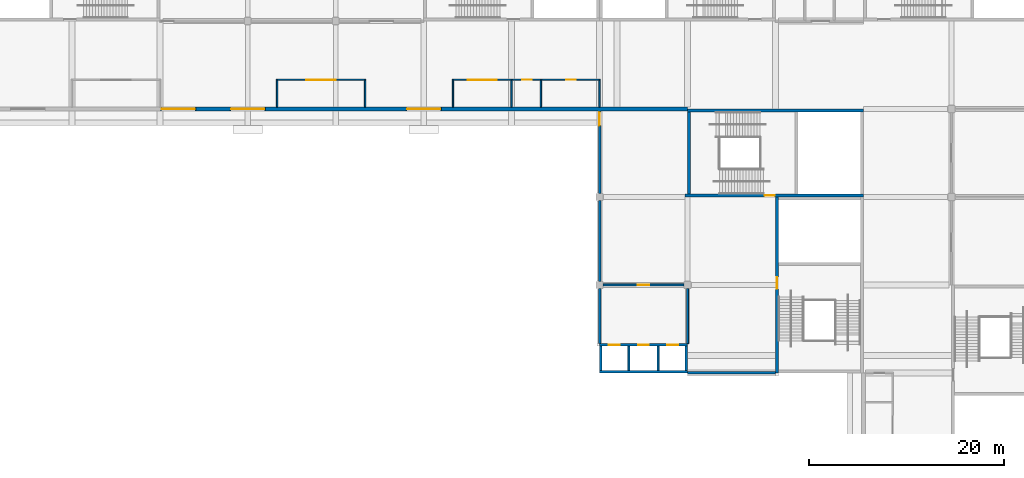
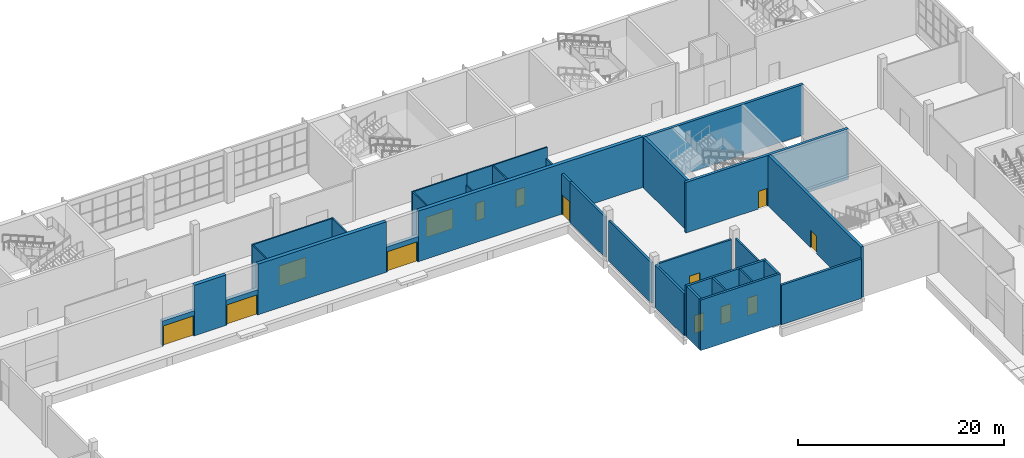
# One storey, part 44 of 89: 33 walls, 14 doors, 14 openings.
"""IFC4 building model written with IfcOpenShell, lengths in metres."""

from ifc_helpers import new_model, si_unit, direction, frame, frame_2d, origin, place, context, subcontext, project, spatial, rectangle, extrude, material, layer, layer_set, type_object, element, fill, save


model = new_model("IFC4")

# Units and contexts
model_context = context("Model", 3, precision=1e-05, world=origin(), true_north=direction((0.0, 1.0)))
body_context = subcontext(model_context, "Body", "Model", "MODEL_VIEW")
ifc_project = project(units=[si_unit("LENGTHUNIT", "METRE"), si_unit("AREAUNIT", "SQUARE_METRE"), si_unit("VOLUMEUNIT", "CUBIC_METRE"), si_unit("PLANEANGLEUNIT", "RADIAN"), si_unit("MASSUNIT", "GRAM", prefix="KILO")], contexts=[model_context])

# Site, building, storey
site_placement = place(None, origin())
site = spatial("IfcSite", under=ifc_project, at=site_placement, CompositionType="ELEMENT")
building_placement = place(site_placement, origin())
building = spatial("IfcBuilding", under=site, at=building_placement, Name="Silverbay Arena", CompositionType="ELEMENT")
storey_placement = place(building_placement, frame((0.0, 0.0, 22.0)))
storey = spatial("IfcBuildingStorey", under=building, at=storey_placement, Name="L03", CompositionType="ELEMENT", Elevation=22.0)

# Wall, opening, door
ifc_material_1 = material(Name="Concrete Grade C45", Category="concrete")
ifc_layer_1 = layer(ifc_material_1, 0.25)
ifc_layer_set_1 = layer_set([ifc_layer_1], Name="Concrete Grade C45")
wall_type_1 = type_object("IfcWallType", Name="Bowl enclosure wall RC 250 EI 120", PredefinedType="SOLIDWALL", material=ifc_layer_set_1)
wall_1_placement = place(storey_placement, frame((162.0, 124.199951171875, 0.0), z_axis=(0.0, 0.0, 1.0), x_axis=(0.0, 1.0, 0.0)))
wall_1 = element("IfcWall", 1, at=wall_1_placement, inside=storey, type_object=wall_type_1, Name="gangway North upper stand end", PredefinedType="SOLIDWALL", context=body_context, shape_type="SweptSolid", body=[
    extrude(rectangle(XDim=1.60009765625, YDim=0.25, at=frame_2d((0.800048828125, 0.0))), origin(), (0.0, 0.0, 1.0), 4.800048828125),
])
opening_1_placement = place(wall_1_placement, frame((0.10009765625, 0.0, 0.0)))
opening_1 = element("IfcOpeningElement", 2, at=opening_1_placement, cuts=wall_1, Name="Opening L03-092", PredefinedType="OPENING", context=body_context, shape_type="SweptSolid", body=[
    extrude(rectangle(XDim=1.39990234375, YDim=2.39990234375, at=frame_2d((0.699951171875, 1.199951171875))), frame((0.0, 0.135009765625, 0.0), z_axis=(0.0, -1.0, 0.0), x_axis=(1.0, 0.0, 0.0)), (0.0, 0.0, 1.0), 0.27001953125),
])
ifc_material_2 = material(Name="Steel", Category="steel")
door_type_1 = type_object("IfcDoorType", Name="Fire door set 1400 x 2400 FD120S gangway", OperationType="DOUBLE_DOOR_SINGLE_SWING", PredefinedType="DOOR", material=ifc_material_2)
door_1_placement = place(opening_1_placement, frame((1.39990234375, 0.0, 0.0), z_axis=(0.0, 0.0, 1.0), x_axis=(-1.0, 0.0, 0.0)))
door_1 = element("IfcDoor", 3, at=door_1_placement, inside=storey, type_object=door_type_1, Name="Fire door set L03 gangway North upper stand end", OperationType="DOUBLE_DOOR_SINGLE_SWING", OverallHeight=2.39990234375, OverallWidth=1.39990234375, PredefinedType="DOOR", context=body_context, shape_type="SweptSolid", body=[
    extrude(rectangle(XDim=1.39990234375, YDim=2.39990234375, at=frame_2d((0.699951171875, 1.199951171875))), frame((0.0, 0.02490234375, 0.0), z_axis=(0.0, -1.0, 0.0), x_axis=(1.0, 0.0, 0.0)), (0.0, 0.0, 1.0), 0.050048828125),
])
fill(opening_1, door_1)

# Walls
wall_2_placement = place(storey_placement, frame((162.0, 102.0, 0.0), z_axis=(0.0, 0.0, 1.0), x_axis=(0.0, 1.0, 0.0)))
element("IfcWall", 4, at=wall_2_placement, inside=storey, type_object=wall_type_1, Name="Bowl enclosure wall, corner block NE-x", PredefinedType="SOLIDWALL", context=body_context, shape_type="SweptSolid", body=[
    extrude(rectangle(XDim=5.64990234375, YDim=0.25, at=frame_2d((2.824951171875, 0.0))), origin(), (0.0, 0.0, 1.0), 5.0),
])
wall_3_placement = place(storey_placement, frame((162.0, 108.35009765625, 0.0), z_axis=(0.0, 0.0, 1.0), x_axis=(0.0, 1.0, 0.0)))
element("IfcWall", 5, at=wall_3_placement, inside=storey, type_object=wall_type_1, Name="Bowl enclosure wall, corner block NE-x", PredefinedType="SOLIDWALL", context=body_context, shape_type="SweptSolid", body=[
    extrude(rectangle(XDim=8.2998046875, YDim=0.25, at=frame_2d((4.14990234375, 0.0))), origin(), (0.0, 0.0, 1.0), 4.800048828125),
])
wall_4_placement = place(storey_placement, frame((162.0, 117.35009765625, 0.0), z_axis=(0.0, 0.0, 1.0), x_axis=(0.0, 1.0, 0.0)))
element("IfcWall", 6, at=wall_4_placement, inside=storey, type_object=wall_type_1, Name="Bowl enclosure wall, corner block NE-x", PredefinedType="SOLIDWALL", context=body_context, shape_type="SweptSolid", body=[
    extrude(rectangle(XDim=6.849853515625, YDim=0.25, at=frame_2d((3.4248046875, 0.0))), origin(), (0.0, 0.0, 1.0), 4.800048828125),
])
wall_5_placement = place(storey_placement, frame((171.0, 99.0, 0.0), z_axis=(0.0, 0.0, 1.0), x_axis=(1.0, 0.0, 0.0)))
element("IfcWall", 7, at=wall_5_placement, inside=storey, type_object=wall_type_1, Name="Bowl enclosure wall, corner block NE-y", PredefinedType="SOLIDWALL", context=body_context, shape_type="SweptSolid", body=[
    extrude(rectangle(XDim=9.0, YDim=0.25, at=frame_2d((4.5, 0.0))), origin(), (0.0, 0.0, 1.0), 4.699951171875),
])

# Wall, opening, door
ifc_material_3 = material(Name="Concrete Grade C45", Category="concrete")
ifc_layer_2 = layer(ifc_material_3, 0.39990234375)
ifc_layer_set_2 = layer_set([ifc_layer_2], Name="Concrete Grade C45")
wall_type_2 = type_object("IfcWallType", Name="Bowl enclosure wall RC 400 EI 120", PredefinedType="SOLIDWALL", material=ifc_layer_set_2)
wall_6_placement = place(storey_placement, frame((124.199951171875, 126.0, 0.0), z_axis=(0.0, 0.0, 1.0), x_axis=(1.0, 0.0, 0.0)))
wall_6 = element("IfcWall", 8, at=wall_6_placement, inside=storey, type_object=wall_type_2, Name="portal vomitory N 126", PredefinedType="SOLIDWALL", context=body_context, shape_type="SweptSolid", body=[
    extrude(rectangle(XDim=3.60009765625, YDim=0.39990234375, at=frame_2d((1.800048828125, 0.0))), origin(), (0.0, 0.0, 1.0), 3.0),
])
opening_2_placement = place(wall_6_placement, frame((0.10009765625, 0.0, 0.0)))
opening_2 = element("IfcOpeningElement", 9, at=opening_2_placement, cuts=wall_6, Name="Opening L03-095", PredefinedType="OPENING", context=body_context, shape_type="SweptSolid", body=[
    extrude(rectangle(XDim=3.39990234375, YDim=2.39990234375, at=frame_2d((1.699951171875, 1.199951171875))), frame((0.0, 0.2099609375, 0.0), z_axis=(0.0, -1.0, 0.0), x_axis=(1.0, 0.0, 0.0)), (0.0, 0.0, 1.0), 0.419921875),
])
ifc_material_4 = material(Name="Steel", Category="steel")
door_type_2 = type_object("IfcDoorType", Name="Fire door set 3400 x 2400 FD120S portal", OperationType="DOUBLE_DOOR_SINGLE_SWING", PredefinedType="DOOR", material=ifc_material_4)
door_2_placement = place(opening_2_placement, origin())
door_2 = element("IfcDoor", 10, at=door_2_placement, inside=storey, type_object=door_type_2, Name="Fire door set L03 portal vomitory N 126", OperationType="DOUBLE_DOOR_SINGLE_SWING", OverallHeight=2.39990234375, OverallWidth=3.39990234375, PredefinedType="DOOR", context=body_context, shape_type="SweptSolid", body=[
    extrude(rectangle(XDim=3.39990234375, YDim=2.39990234375, at=frame_2d((1.699951171875, 1.199951171875))), frame((0.0, 0.02490234375, 0.0), z_axis=(0.0, -1.0, 0.0), x_axis=(1.0, 0.0, 0.0)), (0.0, 0.0, 1.0), 0.050048828125),
])
fill(opening_2, door_2)

wall_7_placement = place(storey_placement, frame((142.199951171875, 126.0, 0.0), z_axis=(0.0, 0.0, 1.0), x_axis=(1.0, 0.0, 0.0)))
wall_7 = element("IfcWall", 11, at=wall_7_placement, inside=storey, type_object=wall_type_2, Name="portal vomitory N 144", PredefinedType="SOLIDWALL", context=body_context, shape_type="SweptSolid", body=[
    extrude(rectangle(XDim=3.60009765625, YDim=0.39990234375, at=frame_2d((1.800048828125, 0.0))), origin(), (0.0, 0.0, 1.0), 3.0),
])
opening_3_placement = place(wall_7_placement, frame((0.10009765625, 0.0, 0.0)))
opening_3 = element("IfcOpeningElement", 12, at=opening_3_placement, cuts=wall_7, Name="Opening L03-096", PredefinedType="OPENING", context=body_context, shape_type="SweptSolid", body=[
    extrude(rectangle(XDim=3.39990234375, YDim=2.39990234375, at=frame_2d((1.699951171875, 1.199951171875))), frame((0.0, 0.2099609375, 0.0), z_axis=(0.0, -1.0, 0.0), x_axis=(1.0, 0.0, 0.0)), (0.0, 0.0, 1.0), 0.419921875),
])
door_3_placement = place(opening_3_placement, origin())
door_3 = element("IfcDoor", 13, at=door_3_placement, inside=storey, type_object=door_type_2, Name="Fire door set L03 portal vomitory N 144", OperationType="DOUBLE_DOOR_SINGLE_SWING", OverallHeight=2.39990234375, OverallWidth=3.39990234375, PredefinedType="DOOR", context=body_context, shape_type="SweptSolid", body=[
    extrude(rectangle(XDim=3.39990234375, YDim=2.39990234375, at=frame_2d((1.699951171875, 1.199951171875))), frame((0.0, 0.02490234375, 0.0), z_axis=(0.0, -1.0, 0.0), x_axis=(1.0, 0.0, 0.0)), (0.0, 0.0, 1.0), 0.050048828125),
])
fill(opening_3, door_3)

wall_8_placement = place(storey_placement, frame((117.074951171875, 126.0, 0.0), z_axis=(0.0, 0.0, 1.0), x_axis=(1.0, 0.0, 0.0)))
wall_8 = element("IfcWall", 14, at=wall_8_placement, inside=storey, type_object=wall_type_2, Name="portal stand N 118.875", PredefinedType="SOLIDWALL", context=body_context, shape_type="SweptSolid", body=[
    extrude(rectangle(XDim=3.60009765625, YDim=0.39990234375, at=frame_2d((1.800048828125, 0.0))), origin(), (0.0, 0.0, 1.0), 3.0),
])
opening_4_placement = place(wall_8_placement, frame((0.10009765625, 0.0, 0.0)))
opening_4 = element("IfcOpeningElement", 15, at=opening_4_placement, cuts=wall_8, Name="Opening L03-102", PredefinedType="OPENING", context=body_context, shape_type="SweptSolid", body=[
    extrude(rectangle(XDim=3.39990234375, YDim=2.39990234375, at=frame_2d((1.699951171875, 1.199951171875))), frame((0.0, 0.2099609375, 0.0), z_axis=(0.0, -1.0, 0.0), x_axis=(1.0, 0.0, 0.0)), (0.0, 0.0, 1.0), 0.419921875),
])
door_4_placement = place(opening_4_placement, origin())
door_4 = element("IfcDoor", 16, at=door_4_placement, inside=storey, type_object=door_type_2, Name="Fire door set L03 portal stand N 118.875", OperationType="DOUBLE_DOOR_SINGLE_SWING", OverallHeight=2.39990234375, OverallWidth=3.39990234375, PredefinedType="DOOR", context=body_context, shape_type="SweptSolid", body=[
    extrude(rectangle(XDim=3.39990234375, YDim=2.39990234375, at=frame_2d((1.699951171875, 1.199951171875))), frame((0.0, 0.02490234375, 0.0), z_axis=(0.0, -1.0, 0.0), x_axis=(1.0, 0.0, 0.0)), (0.0, 0.0, 1.0), 0.050048828125),
])
fill(opening_4, door_4)

ifc_material_5 = material(Name="Concrete Grade C45", Category="concrete")
ifc_layer_3 = layer(ifc_material_5, 0.300048828125)
ifc_layer_set_3 = layer_set([ifc_layer_3], Name="Concrete Grade C45")
wall_type_3 = type_object("IfcWallType", Name="Core wall RC 300 EI 120", PredefinedType="SHEAR", material=ifc_layer_set_3)
wall_9_placement = place(storey_placement, frame((170.75, 117.14990234375, 0.0), z_axis=(0.0, 0.0, 1.0), x_axis=(1.0, 0.0, 0.0)))
wall_9 = element("IfcWall", 17, at=wall_9_placement, inside=storey, type_object=wall_type_3, Name="Core wall ST-NE1 L03 door side", PredefinedType="SHEAR", context=body_context, shape_type="SweptSolid", body=[
    extrude(rectangle(XDim=18.25, YDim=0.300048828125, at=frame_2d((9.125, 0.0))), origin(), (0.0, 0.0, 1.0), 6.0),
])
opening_5_placement = place(wall_9_placement, frame((8.14990234375, 0.0, 0.0)))
opening_5 = element("IfcOpeningElement", 18, at=opening_5_placement, cuts=wall_9, Name="Opening L03-075", PredefinedType="OPENING", context=body_context, shape_type="SweptSolid", body=[
    extrude(rectangle(XDim=1.0, YDim=2.10009765625, at=frame_2d((0.5, 1.050048828125))), frame((0.0, 0.16015625, 0.0), z_axis=(0.0, -1.0, 0.0), x_axis=(1.0, 0.0, 0.0)), (0.0, 0.0, 1.0), 0.320068359375),
])
ifc_material_6 = material(Name="Steel fire door", Category="steel")
door_type_3 = type_object("IfcDoorType", Name="Stair door 1000 x 2100 fire door", OperationType="SINGLE_SWING_LEFT", PredefinedType="DOOR", material=ifc_material_6)
door_5_placement = place(opening_5_placement, origin())
door_5 = element("IfcDoor", 19, at=door_5_placement, inside=storey, type_object=door_type_3, Name="Stair door ST-NE1 L03", OperationType="SINGLE_SWING_LEFT", OverallHeight=2.10009765625, OverallWidth=1.0, PredefinedType="DOOR", context=body_context, shape_type="SweptSolid", body=[
    extrude(rectangle(XDim=1.0, YDim=2.10009765625, at=frame_2d((0.5, 1.050048828125))), frame((0.0, 0.02490234375, 0.0), z_axis=(0.0, -1.0, 0.0), x_axis=(1.0, 0.0, 0.0)), (0.0, 0.0, 1.0), 0.050048828125),
])
fill(opening_5, door_5)

# Walls
wall_10_placement = place(storey_placement, frame((171.0, 125.85009765625, 0.0), z_axis=(0.0, 0.0, 1.0), x_axis=(1.0, 0.0, 0.0)))
element("IfcWall", 20, at=wall_10_placement, inside=storey, type_object=wall_type_3, Name="Core wall ST-NE1 L03 far side", PredefinedType="SHEAR", context=body_context, shape_type="SweptSolid", body=[
    extrude(rectangle(XDim=18.0, YDim=0.300048828125, at=frame_2d((9.0, 0.0))), origin(), (0.0, 0.0, 1.0), 6.0),
])
wall_11_placement = place(storey_placement, frame((171.14990234375, 117.300048828125, 0.0), z_axis=(0.0, 0.0, 1.0), x_axis=(0.0, 1.0, 0.0)))
element("IfcWall", 21, at=wall_11_placement, inside=storey, type_object=wall_type_3, Name="Core wall ST-NE1 L03 end 1", PredefinedType="SHEAR", context=body_context, shape_type="SweptSolid", body=[
    extrude(rectangle(XDim=8.39990234375, YDim=0.300048828125, at=frame_2d((4.199951171875, 0.0))), origin(), (0.0, 0.0, 1.0), 6.0),
])

# Wall, opening, door
wall_12_placement = place(storey_placement, frame((180.14990234375, 99.0, 0.0), z_axis=(0.0, 0.0, 1.0), x_axis=(0.0, 1.0, 0.0)))
wall_12 = element("IfcWall", 22, at=wall_12_placement, inside=storey, type_object=wall_type_3, Name="Core wall ST-NE2 L03 door side", PredefinedType="SHEAR", context=body_context, shape_type="SweptSolid", body=[
    extrude(rectangle(XDim=18.0, YDim=0.300048828125, at=frame_2d((9.0, 0.0))), origin(), (0.0, 0.0, 1.0), 6.0),
])
opening_6_placement = place(wall_12_placement, frame((8.60009765625, 0.0, 0.0)))
opening_6 = element("IfcOpeningElement", 23, at=opening_6_placement, cuts=wall_12, Name="Opening L03-076", PredefinedType="OPENING", context=body_context, shape_type="SweptSolid", body=[
    extrude(rectangle(XDim=1.199951171875, YDim=2.10009765625, at=frame_2d((0.60009765625, 1.050048828125))), frame((0.0, 0.16015625, 0.0), z_axis=(0.0, -1.0, 0.0), x_axis=(1.0, 0.0, 0.0)), (0.0, 0.0, 1.0), 0.320068359375),
])
ifc_material_7 = material(Name="Steel fire door", Category="steel")
door_type_4 = type_object("IfcDoorType", Name="Stair door 1200 x 2100 fire door", OperationType="SINGLE_SWING_LEFT", PredefinedType="DOOR", material=ifc_material_7)
door_6_placement = place(opening_6_placement, frame((1.199951171875, 0.0, 0.0), z_axis=(0.0, 0.0, 1.0), x_axis=(-1.0, 0.0, 0.0)))
door_6 = element("IfcDoor", 24, at=door_6_placement, inside=storey, type_object=door_type_4, Name="Stair door ST-NE2 L03", OperationType="SINGLE_SWING_LEFT", OverallHeight=2.10009765625, OverallWidth=1.199951171875, PredefinedType="DOOR", context=body_context, shape_type="SweptSolid", body=[
    extrude(rectangle(XDim=1.199951171875, YDim=2.10009765625, at=frame_2d((0.60009765625, 1.050048828125))), frame((0.0, 0.02490234375, 0.0), z_axis=(0.0, -1.0, 0.0), x_axis=(1.0, 0.0, 0.0)), (0.0, 0.0, 1.0), 0.050048828125),
])
fill(opening_6, door_6)

# Walls
ifc_material_8 = material(Name="Concrete Grade C45", Category="concrete")
ifc_layer_4 = layer(ifc_material_8, 0.199951171875)
ifc_layer_set_4 = layer_set([ifc_layer_4], Name="Concrete Grade C45")
wall_type_4 = type_object("IfcWallType", Name="Lift shaft divider RC 200 EI 120", PredefinedType="SHEAR", material=ifc_layer_set_4)
for number, where, z_axis, x_axis, name in (
    (25, (165.0, 99.25, 0.0), (0.0, 0.0, 1.0), (0.0, 1.0, 0.0), "Lift shaft divider LB-NE L03 1"),
    (26, (168.0, 99.25, 0.0), (0.0, 0.0, 1.0), (0.0, 1.0, 0.0), "Lift shaft divider LB-NE L03 2"),
):
    element("IfcWall", number, at=place(storey_placement, frame(where, z_axis=z_axis, x_axis=x_axis)), inside=storey, type_object=wall_type_4, Name=name, PredefinedType="SHEAR", context=body_context, shape_type="SweptSolid", body=[
        extrude(rectangle(XDim=2.5, YDim=0.199951171875, at=frame_2d((1.25, 0.0))), origin(), (0.0, 0.0, 1.0), 6.0),
    ])

# Wall, openings, doors
ifc_material_9 = material(Name="Concrete Grade C45", Category="concrete")
ifc_layer_5 = layer(ifc_material_9, 0.25)
ifc_layer_set_5 = layer_set([ifc_layer_5], Name="Concrete Grade C45")
wall_type_5 = type_object("IfcWallType", Name="Lift shaft wall RC 250 EI 120", PredefinedType="SHEAR", material=ifc_layer_set_5)
wall_13_placement = place(storey_placement, frame((162.0, 101.875, 0.0), z_axis=(0.0, 0.0, 1.0), x_axis=(1.0, 0.0, 0.0)))
wall_13 = element("IfcWall", 27, at=wall_13_placement, inside=storey, type_object=wall_type_5, Name="Lift shaft wall LB-NE L03 landing side", PredefinedType="SHEAR", context=body_context, shape_type="SweptSolid", body=[
    extrude(rectangle(XDim=9.0, YDim=0.25, at=frame_2d((4.5, 0.0))), origin(), (0.0, 0.0, 1.0), 6.0),
])
opening_7_placement = place(wall_13_placement, frame((0.949951171875, 0.0, 0.0)))
opening_7 = element("IfcOpeningElement", 28, at=opening_7_placement, cuts=wall_13, Name="Opening L03-086", PredefinedType="OPENING", context=body_context, shape_type="SweptSolid", body=[
    extrude(rectangle(XDim=1.10009765625, YDim=2.10009765625, at=frame_2d((0.550048828125, 1.050048828125))), frame((0.0, 0.135009765625, 0.0), z_axis=(0.0, -1.0, 0.0), x_axis=(1.0, 0.0, 0.0)), (0.0, 0.0, 1.0), 0.27001953125),
])
opening_8_placement = place(wall_13_placement, frame((3.949951171875, 0.0, 0.0)))
opening_8 = element("IfcOpeningElement", 29, at=opening_8_placement, cuts=wall_13, Name="Opening L03-087", PredefinedType="OPENING", context=body_context, shape_type="SweptSolid", body=[
    extrude(rectangle(XDim=1.10009765625, YDim=2.10009765625, at=frame_2d((0.550048828125, 1.050048828125))), frame((0.0, 0.135009765625, 0.0), z_axis=(0.0, -1.0, 0.0), x_axis=(1.0, 0.0, 0.0)), (0.0, 0.0, 1.0), 0.27001953125),
])
opening_9_placement = place(wall_13_placement, frame((6.949951171875, 0.0, 0.0)))
opening_9 = element("IfcOpeningElement", 30, at=opening_9_placement, cuts=wall_13, Name="Opening L03-088", PredefinedType="OPENING", context=body_context, shape_type="SweptSolid", body=[
    extrude(rectangle(XDim=1.10009765625, YDim=2.10009765625, at=frame_2d((0.550048828125, 1.050048828125))), frame((0.0, 0.135009765625, 0.0), z_axis=(0.0, -1.0, 0.0), x_axis=(1.0, 0.0, 0.0)), (0.0, 0.0, 1.0), 0.27001953125),
])
ifc_material_10 = material(Name="Stainless steel", Category="steel")
door_type_5 = type_object("IfcDoorType", Name="LD1 lift landing door 1100 x 2100", OperationType="DOUBLE_DOOR_SLIDING", PredefinedType="DOOR", material=ifc_material_10)
door_7_placement = place(opening_7_placement, origin())
door_7 = element("IfcDoor", 31, at=door_7_placement, inside=storey, type_object=door_type_5, Name="Lift landing door LF12 L03", OperationType="DOUBLE_DOOR_SLIDING", OverallHeight=2.10009765625, OverallWidth=1.10009765625, PredefinedType="DOOR", context=body_context, shape_type="SweptSolid", body=[
    extrude(rectangle(XDim=1.10009765625, YDim=2.10009765625, at=frame_2d((0.550048828125, 1.050048828125))), frame((0.0, 0.02490234375, 0.0), z_axis=(0.0, -1.0, 0.0), x_axis=(1.0, 0.0, 0.0)), (0.0, 0.0, 1.0), 0.050048828125),
])
fill(opening_7, door_7)
door_8_placement = place(opening_8_placement, origin())
door_8 = element("IfcDoor", 32, at=door_8_placement, inside=storey, type_object=door_type_5, Name="Lift landing door LF13 L03", OperationType="DOUBLE_DOOR_SLIDING", OverallHeight=2.10009765625, OverallWidth=1.10009765625, PredefinedType="DOOR", context=body_context, shape_type="SweptSolid", body=[
    extrude(rectangle(XDim=1.10009765625, YDim=2.10009765625, at=frame_2d((0.550048828125, 1.050048828125))), frame((0.0, 0.02490234375, 0.0), z_axis=(0.0, -1.0, 0.0), x_axis=(1.0, 0.0, 0.0)), (0.0, 0.0, 1.0), 0.050048828125),
])
fill(opening_8, door_8)
door_9_placement = place(opening_9_placement, origin())
door_9 = element("IfcDoor", 33, at=door_9_placement, inside=storey, type_object=door_type_5, Name="Lift landing door LF14 L03", OperationType="DOUBLE_DOOR_SLIDING", OverallHeight=2.10009765625, OverallWidth=1.10009765625, PredefinedType="DOOR", context=body_context, shape_type="SweptSolid", body=[
    extrude(rectangle(XDim=1.10009765625, YDim=2.10009765625, at=frame_2d((0.550048828125, 1.050048828125))), frame((0.0, 0.02490234375, 0.0), z_axis=(0.0, -1.0, 0.0), x_axis=(1.0, 0.0, 0.0)), (0.0, 0.0, 1.0), 0.050048828125),
])
fill(opening_9, door_9)

# Walls
wall_14_placement = place(storey_placement, frame((162.0, 99.125, 0.0), z_axis=(0.0, 0.0, 1.0), x_axis=(1.0, 0.0, 0.0)))
element("IfcWall", 34, at=wall_14_placement, inside=storey, type_object=wall_type_5, Name="Lift shaft wall LB-NE L03 back", PredefinedType="SHEAR", context=body_context, shape_type="SweptSolid", body=[
    extrude(rectangle(XDim=9.0, YDim=0.25, at=frame_2d((4.5, 0.0))), origin(), (0.0, 0.0, 1.0), 6.0),
])
for number, where, z_axis, x_axis, name in (
    (35, (162.125, 99.25, 0.0), (0.0, 0.0, 1.0), (0.0, 1.0, 0.0), "Lift shaft wall LB-NE L03 end"),
    (36, (170.875, 99.25, 0.0), (0.0, 0.0, 1.0), (0.0, 1.0, 0.0), "Lift shaft wall LB-NE L03 end"),
):
    element("IfcWall", number, at=place(storey_placement, frame(where, z_axis=z_axis, x_axis=x_axis)), inside=storey, type_object=wall_type_5, Name=name, PredefinedType="SHEAR", context=body_context, shape_type="SweptSolid", body=[
        extrude(rectangle(XDim=2.5, YDim=0.25, at=frame_2d((1.25, 0.0))), origin(), (0.0, 0.0, 1.0), 6.0),
    ])

# Wall, opening, door
ifc_material_11 = material(Name="Gypsum board partition on steel studs", Category="steel")
ifc_layer_6 = layer(ifc_material_11, 0.14990234375)
ifc_layer_set_6 = layer_set([ifc_layer_6], Name="Gypsum board partition on steel studs")
wall_type_6 = type_object("IfcWallType", Name="Partition 150 EI 60", PredefinedType="PARTITIONING", material=ifc_layer_set_6)
wall_15_placement = place(storey_placement, frame((128.925048828125, 129.0, 0.0), z_axis=(0.0, 0.0, 1.0), x_axis=(1.0, 0.0, 0.0)))
wall_15 = element("IfcWall", 37, at=wall_15_placement, inside=storey, type_object=wall_type_6, Name="Partition wall", PredefinedType="PARTITIONING", context=body_context, shape_type="SweptSolid", body=[
    extrude(rectangle(XDim=9.14990234375, YDim=0.14990234375, at=frame_2d((4.574951171875, 0.0))), origin(), (0.0, 0.0, 1.0), 6.0),
])
opening_10_placement = place(wall_15_placement, frame((3.074951171875, 0.0, 0.0)))
opening_10 = element("IfcOpeningElement", 38, at=opening_10_placement, cuts=wall_15, Name="Opening L03-035", PredefinedType="OPENING", context=body_context, shape_type="SweptSolid", body=[
    extrude(rectangle(XDim=3.0, YDim=2.39990234375, at=frame_2d((1.5, 1.199951171875))), frame((0.0, 0.0849609375, 0.0), z_axis=(0.0, -1.0, 0.0), x_axis=(1.0, 0.0, 0.0)), (0.0, 0.0, 1.0), 0.169921875),
])
ifc_material_12 = material(Name="Steel", Category="steel")
door_type_6 = type_object("IfcDoorType", Name="Roller shutter 3000 x 2400 FD30S", OperationType="ROLLINGUP", PredefinedType="DOOR", material=ifc_material_12)
door_10_placement = place(opening_10_placement, origin())
door_10 = element("IfcDoor", 39, at=door_10_placement, inside=storey, type_object=door_type_6, Name="Door L03-035", OperationType="ROLLINGUP", OverallHeight=2.39990234375, OverallWidth=3.0, PredefinedType="DOOR", context=body_context, shape_type="SweptSolid", body=[
    extrude(rectangle(XDim=3.0, YDim=2.39990234375, at=frame_2d((1.5, 1.199951171875))), frame((0.0, 0.02490234375, 0.0), z_axis=(0.0, -1.0, 0.0), x_axis=(1.0, 0.0, 0.0)), (0.0, 0.0, 1.0), 0.050048828125),
])
fill(opening_10, door_10)

wall_16_placement = place(storey_placement, frame((146.925048828125, 129.0, 0.0), z_axis=(0.0, 0.0, 1.0), x_axis=(1.0, 0.0, 0.0)))
wall_16 = element("IfcWall", 40, at=wall_16_placement, inside=storey, type_object=wall_type_6, Name="Partition wall", PredefinedType="PARTITIONING", context=body_context, shape_type="SweptSolid", body=[
    extrude(rectangle(XDim=6.14990234375, YDim=0.14990234375, at=frame_2d((3.074951171875, 0.0))), origin(), (0.0, 0.0, 1.0), 6.0),
])
opening_11_placement = place(wall_16_placement, frame((1.574951171875, 0.0, 0.0)))
opening_11 = element("IfcOpeningElement", 41, at=opening_11_placement, cuts=wall_16, Name="Opening L03-036", PredefinedType="OPENING", context=body_context, shape_type="SweptSolid", body=[
    extrude(rectangle(XDim=3.0, YDim=2.39990234375, at=frame_2d((1.5, 1.199951171875))), frame((0.0, 0.0849609375, 0.0), z_axis=(0.0, -1.0, 0.0), x_axis=(1.0, 0.0, 0.0)), (0.0, 0.0, 1.0), 0.169921875),
])
door_11_placement = place(opening_11_placement, origin())
door_11 = element("IfcDoor", 42, at=door_11_placement, inside=storey, type_object=door_type_6, Name="Door L03-036", OperationType="ROLLINGUP", OverallHeight=2.39990234375, OverallWidth=3.0, PredefinedType="DOOR", context=body_context, shape_type="SweptSolid", body=[
    extrude(rectangle(XDim=3.0, YDim=2.39990234375, at=frame_2d((1.5, 1.199951171875))), frame((0.0, 0.02490234375, 0.0), z_axis=(0.0, -1.0, 0.0), x_axis=(1.0, 0.0, 0.0)), (0.0, 0.0, 1.0), 0.050048828125),
])
fill(opening_11, door_11)

wall_17_placement = place(storey_placement, frame((153.074951171875, 129.0, 0.0), z_axis=(0.0, 0.0, 1.0), x_axis=(1.0, 0.0, 0.0)))
wall_17 = element("IfcWall", 43, at=wall_17_placement, inside=storey, type_object=wall_type_6, Name="Partition wall", PredefinedType="PARTITIONING", context=body_context, shape_type="SweptSolid", body=[
    extrude(rectangle(XDim=3.0, YDim=0.14990234375, at=frame_2d((1.5, 0.0))), origin(), (0.0, 0.0, 1.0), 6.0),
])
opening_12_placement = place(wall_17_placement, frame((1.0, 0.0, 0.0)))
opening_12 = element("IfcOpeningElement", 44, at=opening_12_placement, cuts=wall_17, Name="Opening L03-037", PredefinedType="OPENING", context=body_context, shape_type="SweptSolid", body=[
    extrude(rectangle(XDim=1.0, YDim=2.10009765625, at=frame_2d((0.5, 1.050048828125))), frame((0.0, 0.0849609375, 0.0), z_axis=(0.0, -1.0, 0.0), x_axis=(1.0, 0.0, 0.0)), (0.0, 0.0, 1.0), 0.169921875),
])
ifc_material_13 = material(Name="Steel faced timber", Category="steel")
door_type_7 = type_object("IfcDoorType", Name="Single leaf door 1000 x 2100 FD30S", OperationType="SINGLE_SWING_LEFT", PredefinedType="DOOR", material=ifc_material_13)
door_12_placement = place(opening_12_placement, frame((1.0, 0.0, 0.0), z_axis=(0.0, 0.0, 1.0), x_axis=(-1.0, 0.0, 0.0)))
door_12 = element("IfcDoor", 45, at=door_12_placement, inside=storey, type_object=door_type_7, Name="Door L03-037", OperationType="SINGLE_SWING_RIGHT", OverallHeight=2.10009765625, OverallWidth=1.0, PredefinedType="DOOR", context=body_context, shape_type="SweptSolid", body=[
    extrude(rectangle(XDim=1.0, YDim=2.10009765625, at=frame_2d((0.5, 1.050048828125))), frame((0.0, 0.02490234375, 0.0), z_axis=(0.0, -1.0, 0.0), x_axis=(1.0, 0.0, 0.0)), (0.0, 0.0, 1.0), 0.050048828125),
])
fill(opening_12, door_12)

wall_18_placement = place(storey_placement, frame((156.074951171875, 129.0, 0.0), z_axis=(0.0, 0.0, 1.0), x_axis=(1.0, 0.0, 0.0)))
wall_18 = element("IfcWall", 46, at=wall_18_placement, inside=storey, type_object=wall_type_6, Name="Partition wall", PredefinedType="PARTITIONING", context=body_context, shape_type="SweptSolid", body=[
    extrude(rectangle(XDim=6.0, YDim=0.14990234375, at=frame_2d((3.0, 0.0))), origin(), (0.0, 0.0, 1.0), 6.0),
])
opening_13_placement = place(wall_18_placement, frame((2.5, 0.0, 0.0)))
opening_13 = element("IfcOpeningElement", 47, at=opening_13_placement, cuts=wall_18, Name="Opening L03-038", PredefinedType="OPENING", context=body_context, shape_type="SweptSolid", body=[
    extrude(rectangle(XDim=1.0, YDim=2.10009765625, at=frame_2d((0.5, 1.050048828125))), frame((0.0, 0.0849609375, 0.0), z_axis=(0.0, -1.0, 0.0), x_axis=(1.0, 0.0, 0.0)), (0.0, 0.0, 1.0), 0.169921875),
])
door_13_placement = place(opening_13_placement, frame((1.0, 0.0, 0.0), z_axis=(0.0, 0.0, 1.0), x_axis=(-1.0, 0.0, 0.0)))
door_13 = element("IfcDoor", 48, at=door_13_placement, inside=storey, type_object=door_type_7, Name="Door L03-038", OperationType="SINGLE_SWING_LEFT", OverallHeight=2.10009765625, OverallWidth=1.0, PredefinedType="DOOR", context=body_context, shape_type="SweptSolid", body=[
    extrude(rectangle(XDim=1.0, YDim=2.10009765625, at=frame_2d((0.5, 1.050048828125))), frame((0.0, 0.02490234375, 0.0), z_axis=(0.0, -1.0, 0.0), x_axis=(1.0, 0.0, 0.0)), (0.0, 0.0, 1.0), 0.050048828125),
])
fill(opening_13, door_13)

# Walls
for number, where, z_axis, x_axis, name in (
    (49, (129.0, 126.199951171875, 0.0), (0.0, 0.0, 1.0), (0.0, 1.0, 0.0), "Partition wall"),
    (50, (138.0, 126.199951171875, 0.0), (0.0, 0.0, 1.0), (0.0, 1.0, 0.0), "Partition wall"),
    (51, (147.0, 126.199951171875, 0.0), (0.0, 0.0, 1.0), (0.0, 1.0, 0.0), "Partition wall"),
):
    element("IfcWall", number, at=place(storey_placement, frame(where, z_axis=z_axis, x_axis=x_axis)), inside=storey, type_object=wall_type_6, Name=name, PredefinedType="PARTITIONING", context=body_context, shape_type="SweptSolid", body=[
        extrude(rectangle(XDim=2.72509765625, YDim=0.14990234375, at=frame_2d((1.362548828125, 0.0))), origin(), (0.0, 0.0, 1.0), 6.0),
    ])
wall_19_placement = place(storey_placement, frame((153.0, 126.199951171875, 0.0), z_axis=(0.0, 0.0, 1.0), x_axis=(0.0, 1.0, 0.0)))
element("IfcWall", 52, at=wall_19_placement, inside=storey, type_object=wall_type_6, Name="Partition wall", PredefinedType="PARTITIONING", context=body_context, shape_type="SweptSolid", body=[
    extrude(rectangle(XDim=2.72509765625, YDim=0.14990234375, at=frame_2d((1.362548828125, 0.0))), origin(), (0.0, 0.0, 1.0), 4.699951171875),
])
wall_20_placement = place(storey_placement, frame((156.0, 126.199951171875, 0.0), z_axis=(0.0, 0.0, 1.0), x_axis=(0.0, 1.0, 0.0)))
element("IfcWall", 53, at=wall_20_placement, inside=storey, type_object=wall_type_6, Name="Partition wall", PredefinedType="PARTITIONING", context=body_context, shape_type="SweptSolid", body=[
    extrude(rectangle(XDim=2.72509765625, YDim=0.14990234375, at=frame_2d((1.362548828125, 0.0))), origin(), (0.0, 0.0, 1.0), 6.0),
])
wall_21_placement = place(storey_placement, frame((162.0, 126.199951171875, 0.0), z_axis=(0.0, 0.0, 1.0), x_axis=(0.0, 1.0, 0.0)))
element("IfcWall", 54, at=wall_21_placement, inside=storey, type_object=wall_type_6, Name="Partition wall", PredefinedType="PARTITIONING", context=body_context, shape_type="SweptSolid", body=[
    extrude(rectangle(XDim=2.72509765625, YDim=0.14990234375, at=frame_2d((1.362548828125, 0.0))), origin(), (0.0, 0.0, 1.0), 4.699951171875),
])

# Wall, opening, door
ifc_material_14 = material(Name="Masonry blockwork partition", Category="masonry")
ifc_layer_7 = layer(ifc_material_14, 0.199951171875)
ifc_layer_set_7 = layer_set([ifc_layer_7], Name="Masonry blockwork partition")
wall_type_7 = type_object("IfcWallType", Name="Partition 200 EI 120", PredefinedType="PARTITIONING", material=ifc_layer_set_7)
wall_22_placement = place(storey_placement, frame((162.35009765625, 108.0, 0.0), z_axis=(0.0, 0.0, 1.0), x_axis=(1.0, 0.0, 0.0)))
wall_22 = element("IfcWall", 55, at=wall_22_placement, inside=storey, type_object=wall_type_7, Name="Partition wall", PredefinedType="PARTITIONING", context=body_context, shape_type="SweptSolid", body=[
    extrude(rectangle(XDim=8.2998046875, YDim=0.199951171875, at=frame_2d((4.14990234375, 0.0))), origin(), (0.0, 0.0, 1.0), 4.800048828125),
])
opening_14_placement = place(wall_22_placement, frame((3.550048828125, 0.0, 0.0)))
opening_14 = element("IfcOpeningElement", 56, at=opening_14_placement, cuts=wall_22, Name="Opening L03-024", PredefinedType="OPENING", context=body_context, shape_type="SweptSolid", body=[
    extrude(rectangle(XDim=1.199951171875, YDim=2.10009765625, at=frame_2d((0.60009765625, 1.050048828125))), frame((0.0, 0.10986328125, 0.0), z_axis=(0.0, -1.0, 0.0), x_axis=(1.0, 0.0, 0.0)), (0.0, 0.0, 1.0), 0.219970703125),
])
ifc_material_15 = material(Name="Steel faced timber", Category="steel")
door_type_8 = type_object("IfcDoorType", Name="Single leaf door 1200 x 2100 FD60", OperationType="SINGLE_SWING_LEFT", PredefinedType="DOOR", material=ifc_material_15)
door_14_placement = place(opening_14_placement, origin())
door_14 = element("IfcDoor", 57, at=door_14_placement, inside=storey, type_object=door_type_8, Name="Door L03-024", OperationType="SINGLE_SWING_RIGHT", OverallHeight=2.10009765625, OverallWidth=1.199951171875, PredefinedType="DOOR", context=body_context, shape_type="SweptSolid", body=[
    extrude(rectangle(XDim=1.199951171875, YDim=2.10009765625, at=frame_2d((0.60009765625, 1.050048828125))), frame((0.0, 0.02490234375, 0.0), z_axis=(0.0, -1.0, 0.0), x_axis=(1.0, 0.0, 0.0)), (0.0, 0.0, 1.0), 0.050048828125),
])
fill(opening_14, door_14)

# Walls
wall_23_placement = place(storey_placement, frame((171.0, 102.0, 0.0), z_axis=(0.0, 0.0, 1.0), x_axis=(0.0, 1.0, 0.0)))
element("IfcWall", 58, at=wall_23_placement, inside=storey, type_object=wall_type_7, Name="Partition wall", PredefinedType="PARTITIONING", context=body_context, shape_type="SweptSolid", body=[
    extrude(rectangle(XDim=5.64990234375, YDim=0.199951171875, at=frame_2d((2.824951171875, 0.0))), origin(), (0.0, 0.0, 1.0), 5.0),
])
ifc_material_16 = material(Name="Concrete Grade C45", Category="concrete")
ifc_layer_8 = layer(ifc_material_16, 0.39990234375)
ifc_layer_set_8 = layer_set([ifc_layer_8], Name="Concrete Grade C45")
wall_type_8 = type_object("IfcWallType", Name="RC back wall 400 EI 120", PredefinedType="SOLIDWALL", material=ifc_layer_set_8)
wall_24_placement = place(storey_placement, frame((171.0, 126.0, 0.0), z_axis=(0.0, 0.0, 1.0), x_axis=(-1.0, 0.0, 0.0)))
element("IfcWall", 59, at=wall_24_placement, inside=storey, type_object=wall_type_8, Name="Bowl back wall L03 10", PredefinedType="SOLIDWALL", context=body_context, shape_type="SweptSolid", body=[
    extrude(rectangle(XDim=25.199951171875, YDim=0.39990234375, at=frame_2d((12.60009765625, 0.0))), origin(), (0.0, 0.0, 1.0), 6.0),
])
wall_25_placement = place(storey_placement, frame((142.199951171875, 126.0, 0.0), z_axis=(0.0, 0.0, 1.0), x_axis=(-1.0, 0.0, 0.0)))
element("IfcWall", 60, at=wall_25_placement, inside=storey, type_object=wall_type_8, Name="Bowl back wall L03 11", PredefinedType="SOLIDWALL", context=body_context, shape_type="SweptSolid", body=[
    extrude(rectangle(XDim=14.39990234375, YDim=0.39990234375, at=frame_2d((7.199951171875, 0.0))), origin(), (0.0, 0.0, 1.0), 6.0),
])
wall_26_placement = place(storey_placement, frame((124.199951171875, 126.0, 0.0), z_axis=(0.0, 0.0, 1.0), x_axis=(-1.0, 0.0, 0.0)))
element("IfcWall", 61, at=wall_26_placement, inside=storey, type_object=wall_type_8, Name="Bowl back wall L03 12", PredefinedType="SOLIDWALL", context=body_context, shape_type="SweptSolid", body=[
    extrude(rectangle(XDim=3.52490234375, YDim=0.39990234375, at=frame_2d((1.762451171875, 0.0))), origin(), (0.0, 0.0, 1.0), 6.0),
])

save(model, "model.ifc")
